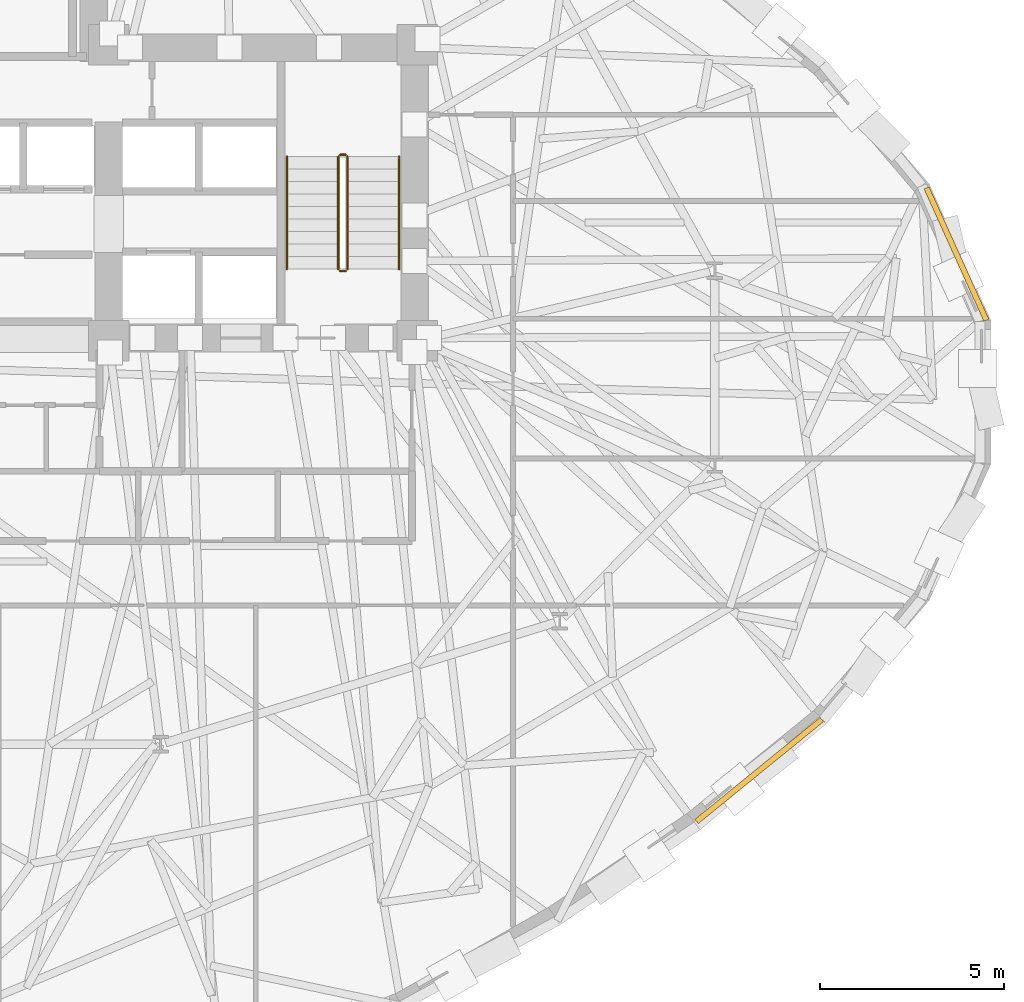
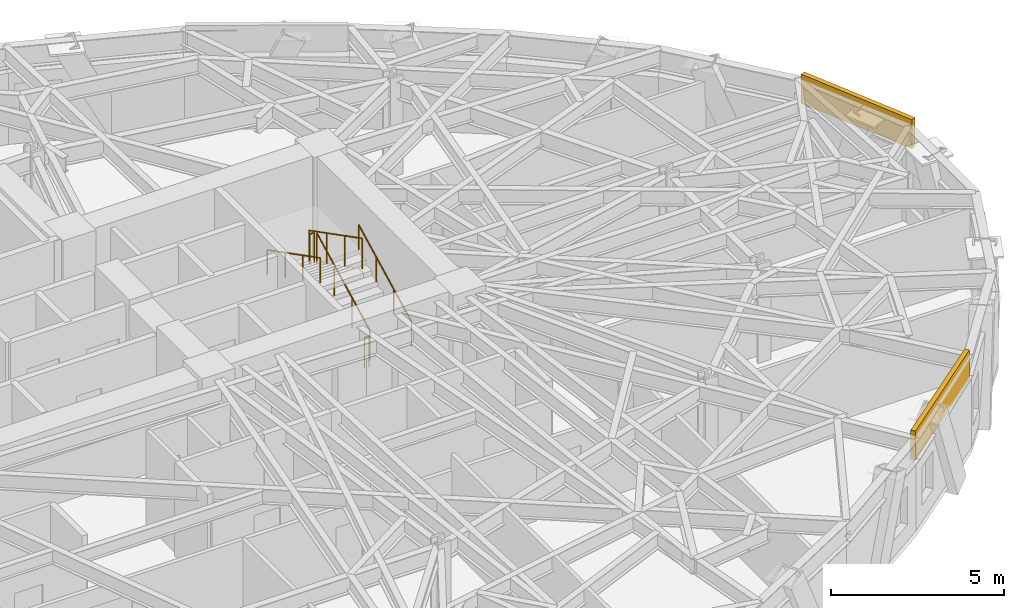
# One storey, part 13 of 14: 6 railings, 2 coverings.
"""IFC4 building model written with IfcOpenShell, lengths in metres."""

from ifc_helpers import new_model, si_unit, direction, frame, origin, origin_2d, place, context, subcontext, project, spatial, rectangle, circle, extrude, material, layer, layer_set, type_object, element, save


model = new_model("IFC4")

# Units and contexts
model_context = context("Model", 3, precision=1e-05, world=origin(), true_north=direction((0.0, 1.0)))
body_context = subcontext(model_context, "Body", "Model", "MODEL_VIEW")
ifc_project = project(units=[si_unit("LENGTHUNIT", "METRE"), si_unit("AREAUNIT", "SQUARE_METRE"), si_unit("VOLUMEUNIT", "CUBIC_METRE"), si_unit("PLANEANGLEUNIT", "RADIAN"), si_unit("MASSUNIT", "GRAM", prefix="KILO")], contexts=[model_context])

# Site, building, storey
site_placement = place(None, origin())
site = spatial("IfcSite", under=ifc_project, at=site_placement, CompositionType="ELEMENT")
building_placement = place(site_placement, origin())
building = spatial("IfcBuilding", under=site, at=building_placement, Name="Keldmark Tower", CompositionType="ELEMENT")
storey_placement = place(building_placement, frame((0.0, 0.0, 86.10009765625)))
storey = spatial("IfcBuildingStorey", under=building, at=storey_placement, Name="L22", CompositionType="ELEMENT", Elevation=86.10009765625)

# Coverings
ifc_material_1 = material(Name="Honed Kasota Buff Dolomitic Limestone", Category="masonry")
ifc_layer = layer(ifc_material_1, 0.074951171875)
ifc_layer_set = layer_set([ifc_layer], Name="Honed Kasota Buff Dolomitic Limestone")
covering_type = type_object("IfcCoveringType", Name="Kasota Buff Limestone Spandrel Cladding Band", PredefinedType="CLADDING", material=ifc_layer_set)
covering_1_placement = place(storey_placement, frame((28.269287109375, 3.760009765625, 2.45166015625), z_axis=(0.0, 0.0, 1.0), x_axis=(-0.411816568745, 0.911266763197, 0.0)))
element("IfcCovering", 1, at=covering_1_placement, inside=storey, type_object=covering_type, Name="L22 Kasota Limestone Spandrel Band 01", PredefinedType="CLADDING", context=body_context, shape_type="SweptSolid", body=[
    extrude(rectangle(XDim=3.9521484375, YDim=0.14990234375, at=origin_2d()), origin(), (0.0, 0.0, 1.0), 1.028076171875),
])
covering_2_placement = place(storey_placement, frame((22.900634765625, -10.294677734375, 2.45166015625), z_axis=(0.0, 0.0, 1.0), x_axis=(0.775749121938, 0.631041440646, 0.0)))
element("IfcCovering", 2, at=covering_2_placement, inside=storey, type_object=covering_type, Name="L22 Kasota Limestone Spandrel Band 29", PredefinedType="CLADDING", context=body_context, shape_type="SweptSolid", body=[
    extrude(rectangle(XDim=4.392578125, YDim=0.14990234375, at=origin_2d()), origin(), (0.0, 0.0, 1.0), 1.028076171875),
])

# Railings
ifc_material_2 = material(Name="Painted Steel ASTM A500 Grade B", Category="steel")
railing_type_1 = type_object("IfcRailingType", Name="Painted Steel Stair Well Guard 1100 mm", PredefinedType="GUARDRAIL", material=ifc_material_2)
railing_1_placement = place(storey_placement, frame((11.699951171875, 3.35009765625, 0.1748046875)))
element("IfcRailing", 3, at=railing_1_placement, inside=storey, type_object=railing_type_1, Name="L22 ST2 stair guard 1", PredefinedType="GUARDRAIL", context=body_context, shape_type="SweptSolid", body=[
    extrude(circle(Radius=0.02392578125, at=origin_2d()), frame((0.0, 0.0, 1.076171875), z_axis=(0.0, 0.889101422983, 0.457710235465), x_axis=(-1.0, 0.0, 0.0)), (0.0, 0.0, 1.0), 3.44140625),
    extrude(circle(Radius=0.02099609375, at=origin_2d()), origin(), (0.0, 0.0, 1.0), 1.052001953125),
    extrude(circle(Radius=0.02099609375, at=origin_2d()), frame((0.0, 1.02001953125, 0.525146484375)), (0.0, 0.0, 1.0), 1.052001953125),
    extrude(circle(Radius=0.02099609375, at=origin_2d()), frame((0.0, 2.039794921875, 1.050048828125)), (0.0, 0.0, 1.0), 1.052001953125),
    extrude(circle(Radius=0.02099609375, at=origin_2d()), frame((0.0, 3.059814453125, 1.5751953125)), (0.0, 0.0, 1.0), 1.052001953125),
])
railing_2_placement = place(storey_placement, frame((11.64990234375, 6.4599609375, 1.75)))
element("IfcRailing", 4, at=railing_2_placement, inside=storey, type_object=railing_type_1, Name="L22 ST2 stair guard 2", PredefinedType="GUARDRAIL", context=body_context, shape_type="SweptSolid", body=[
    extrude(circle(Radius=0.02392578125, at=origin_2d()), frame((0.0, 0.0, 1.076171875), z_axis=(-1.0, 0.0, 0.0), x_axis=(0.0, -1.0, 0.0)), (0.0, 0.0, 1.0), 0.14990234375),
    extrude(circle(Radius=0.02099609375, at=origin_2d()), origin(), (0.0, 0.0, 1.0), 1.052001953125),
    extrude(circle(Radius=0.02099609375, at=origin_2d()), frame((-0.14990234375, 0.0, 0.0)), (0.0, 0.0, 1.0), 1.052001953125),
])
railing_3_placement = place(storey_placement, frame((11.449951171875, 6.409912109375, 1.9248046875)))
element("IfcRailing", 5, at=railing_3_placement, inside=storey, type_object=railing_type_1, Name="L22 ST2 stair guard 3", PredefinedType="GUARDRAIL", context=body_context, shape_type="SweptSolid", body=[
    extrude(circle(Radius=0.02392578125, at=origin_2d()), frame((0.0, 0.0, 1.076171875), z_axis=(0.0, -0.889101422983, 0.457710235465), x_axis=(1.0, 0.0, 0.0)), (0.0, 0.0, 1.0), 3.44140625),
    extrude(circle(Radius=0.02099609375, at=origin_2d()), origin(), (0.0, 0.0, 1.0), 1.052001953125),
    extrude(circle(Radius=0.02099609375, at=origin_2d()), frame((0.0, -1.02001953125, 0.525146484375)), (0.0, 0.0, 1.0), 1.052001953125),
    extrude(circle(Radius=0.02099609375, at=origin_2d()), frame((0.0, -2.039794921875, 1.050048828125)), (0.0, 0.0, 1.0), 1.052001953125),
    extrude(circle(Radius=0.02099609375, at=origin_2d()), frame((0.0, -3.059814453125, 1.5751953125)), (0.0, 0.0, 1.0), 1.052001953125),
])
railing_4_placement = place(storey_placement, frame((11.64990234375, 3.300048828125, 0.0)))
element("IfcRailing", 6, at=railing_4_placement, inside=storey, type_object=railing_type_1, Name="L22 ST2 stair guard 4", PredefinedType="GUARDRAIL", context=body_context, shape_type="SweptSolid", body=[
    extrude(circle(Radius=0.02392578125, at=origin_2d()), frame((0.0, 0.0, 1.076171875), z_axis=(-1.0, 0.0, 0.0), x_axis=(0.0, -1.0, 0.0)), (0.0, 0.0, 1.0), 0.14990234375),
    extrude(circle(Radius=0.02099609375, at=origin_2d()), origin(), (0.0, 0.0, 1.0), 1.052001953125),
    extrude(circle(Radius=0.02099609375, at=origin_2d()), frame((-0.14990234375, 0.0, 0.0)), (0.0, 0.0, 1.0), 1.052001953125),
])
ifc_material_3 = material(Name="Stainless Steel AISI 316L", Category="steel")
railing_type_2 = type_object("IfcRailingType", Name="Stainless Steel Stair Handrail 900 mm", PredefinedType="HANDRAIL", material=ifc_material_3)
railing_5_placement = place(storey_placement, frame((13.10009765625, 3.35009765625, 0.1748046875)))
element("IfcRailing", 7, at=railing_5_placement, inside=storey, type_object=railing_type_2, Name="L22 ST2 stair handrail 1", PredefinedType="HANDRAIL", context=body_context, shape_type="SweptSolid", body=[
    extrude(circle(Radius=0.02392578125, at=origin_2d()), frame((0.0, 0.0, 0.8759765625), z_axis=(0.0, 0.889101422983, 0.457710235465), x_axis=(-1.0, 0.0, 0.0)), (0.0, 0.0, 1.0), 3.44140625),
    extrude(circle(Radius=0.02099609375, at=origin_2d()), origin(), (0.0, 0.0, 1.0), 0.851806640625),
    extrude(circle(Radius=0.02099609375, at=origin_2d()), frame((0.0, 1.02001953125, 0.525146484375)), (0.0, 0.0, 1.0), 0.851806640625),
    extrude(circle(Radius=0.02099609375, at=origin_2d()), frame((0.0, 2.039794921875, 1.050048828125)), (0.0, 0.0, 1.0), 0.851806640625),
    extrude(circle(Radius=0.02099609375, at=origin_2d()), frame((0.0, 3.059814453125, 1.5751953125)), (0.0, 0.0, 1.0), 0.851806640625),
])
railing_6_placement = place(storey_placement, frame((10.050048828125, 6.409912109375, 1.9248046875)))
element("IfcRailing", 8, at=railing_6_placement, inside=storey, type_object=railing_type_2, Name="L22 ST2 stair handrail 2", PredefinedType="HANDRAIL", context=body_context, shape_type="SweptSolid", body=[
    extrude(circle(Radius=0.02392578125, at=origin_2d()), frame((0.0, 0.0, 0.8759765625), z_axis=(0.0, -0.889101422983, 0.457710235465), x_axis=(1.0, 0.0, 0.0)), (0.0, 0.0, 1.0), 3.44140625),
    extrude(circle(Radius=0.02099609375, at=origin_2d()), origin(), (0.0, 0.0, 1.0), 0.851806640625),
    extrude(circle(Radius=0.02099609375, at=origin_2d()), frame((0.0, -1.02001953125, 0.525146484375)), (0.0, 0.0, 1.0), 0.851806640625),
    extrude(circle(Radius=0.02099609375, at=origin_2d()), frame((0.0, -2.039794921875, 1.050048828125)), (0.0, 0.0, 1.0), 0.851806640625),
    extrude(circle(Radius=0.02099609375, at=origin_2d()), frame((0.0, -3.059814453125, 1.5751953125)), (0.0, 0.0, 1.0), 0.851806640625),
])

save(model, "model.ifc")
